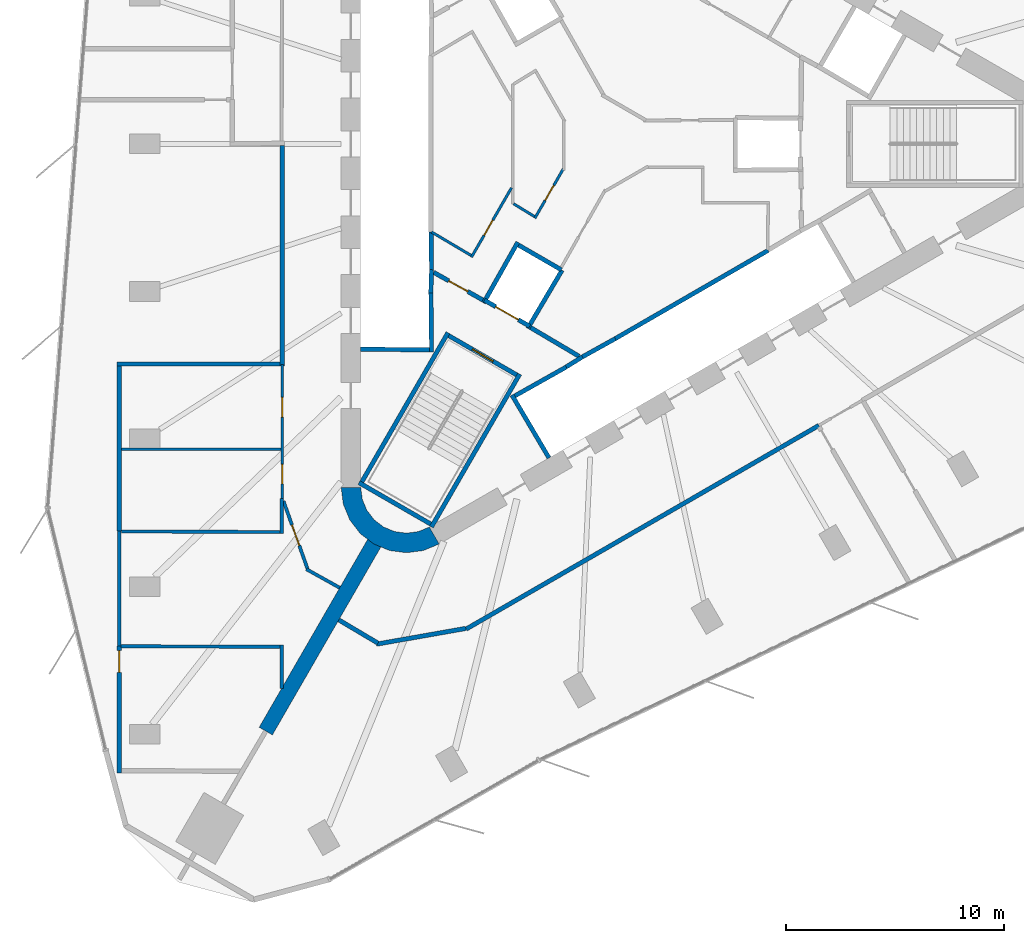
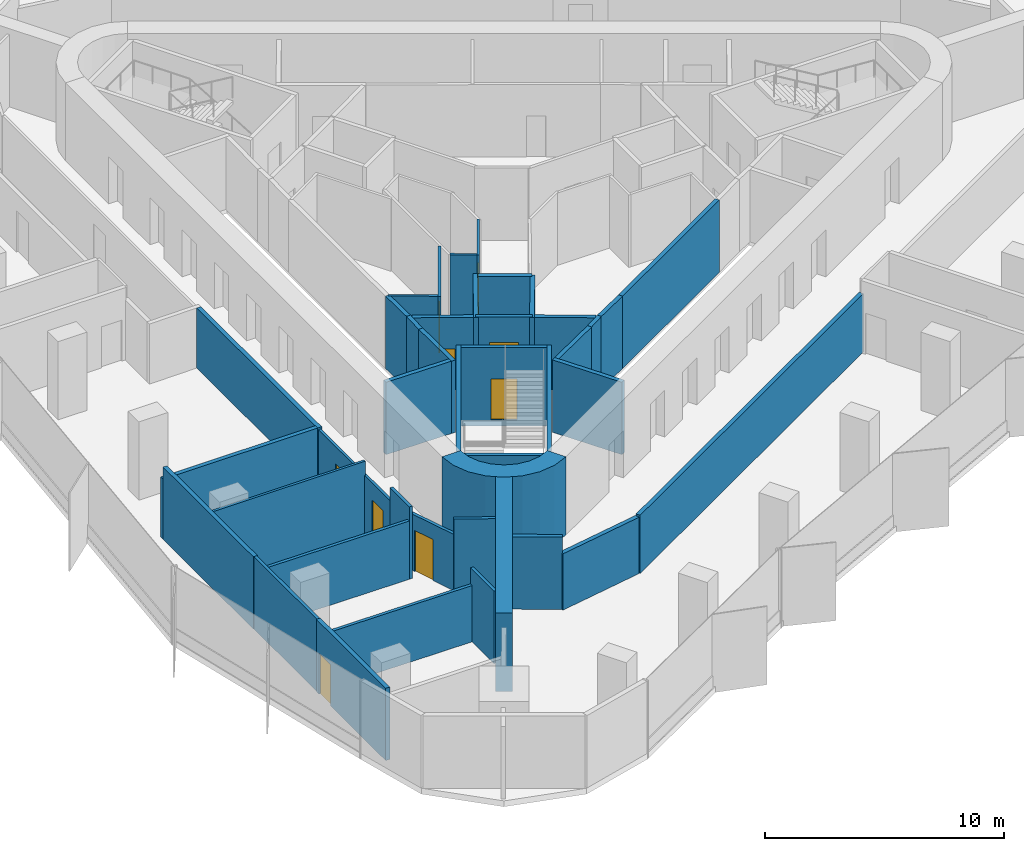
# One storey, part 8 of 13: 41 walls, 9 doors, 9 openings.
"""IFC4 building model written with IfcOpenShell, lengths in metres."""

from ifc_helpers import new_model, si_unit, direction, frame, frame_2d, origin, place, context, subcontext, project, spatial, polyline, rectangle, outline, extrude, material, layer, layer_set, type_object, element, fill, save


model = new_model("IFC4")

# Units and contexts
model_context = context("Model", 3, precision=1e-05, world=origin(), true_north=direction((0.0, 1.0)))
body_context = subcontext(model_context, "Body", "Model", "MODEL_VIEW")
ifc_project = project(units=[si_unit("LENGTHUNIT", "METRE"), si_unit("AREAUNIT", "SQUARE_METRE"), si_unit("VOLUMEUNIT", "CUBIC_METRE"), si_unit("PLANEANGLEUNIT", "RADIAN"), si_unit("MASSUNIT", "GRAM", prefix="KILO")], contexts=[model_context])

# Site, building, storey
site_placement = place(None, origin())
site = spatial("IfcSite", under=ifc_project, at=site_placement, CompositionType="ELEMENT")
building_placement = place(site_placement, origin())
building = spatial("IfcBuilding", under=site, at=building_placement, Name="Tanit Gate Tower", CompositionType="ELEMENT")
storey_placement = place(building_placement, frame((0.0, 0.0, 269.199951171875)))
storey = spatial("IfcBuildingStorey", under=building, at=storey_placement, Name="L61", CompositionType="ELEMENT", Elevation=269.199951171875)

# Walls
ifc_material_1 = material(Name="Concrete C50/60", Category="concrete")
ifc_layer_1 = layer(ifc_material_1, 0.699951171875)
ifc_layer_set_1 = layer_set([ifc_layer_1], Name="BUTTRESS FIN 700 C50/60")
wall_type_1 = type_object("IfcWallType", Name="BUTTRESS FIN 700 C50/60", PredefinedType="SHEAR", material=ifc_layer_set_1)
wall_1_placement = place(storey_placement, frame((-10.574951171875, -18.31640625, 0.0), z_axis=(0.0, 0.0, 1.0), x_axis=(-0.500007350791, -0.866021159762, 0.0)))
element("IfcWall", 1, at=wall_1_placement, inside=storey, type_object=wall_type_1, Name="BUTTRESS FIN", PredefinedType="SHEAR", context=body_context, shape_type="SweptSolid", body=[
    extrude(rectangle(XDim=9.964599609375, YDim=0.699951171875, at=frame_2d((4.982421875, 0.0))), origin(), (0.0, 0.0, 1.0), 4.0),
])
ifc_material_2 = material(Name="Concrete C50/60", Category="concrete")
ifc_layer_2 = layer(ifc_material_2, 0.89990234375)
ifc_layer_set_2 = layer_set([ifc_layer_2], Name="CORE WALL 900 C50/60")
wall_type_2 = type_object("IfcWallType", Name="CORE WALL 900 C50/60", PredefinedType="SHEAR", material=ifc_layer_set_2)
wall_2_placement = place(storey_placement, origin())
element("IfcWall", 2, at=wall_2_placement, inside=storey, type_object=wall_type_2, Name="CORE WALL CORNER", PredefinedType="SHEAR", context=body_context, shape_type="SweptSolid", body=[
    extrude(outline(polyline([(-12.10009765625, -15.76171875), (-11.997802734375, -16.5380859375), (-11.697998046875, -17.26171875), (-11.22119140625, -17.883056640625), (-10.60009765625, -18.359619140625), (-9.87646484375, -18.659423828125), (-9.10009765625, -18.76171875), (-8.323486328125, -18.659423828125), (-7.60009765625, -18.359619140625), (-8.050048828125, -17.580322265625), (-8.556396484375, -17.7900390625), (-9.10009765625, -17.86181640625), (-9.6435546875, -17.7900390625), (-10.14990234375, -17.580322265625), (-10.5849609375, -17.24658203125), (-10.918701171875, -16.811767578125), (-11.12841796875, -16.30517578125), (-11.199951171875, -15.76171875), (-12.10009765625, -15.76171875)])), origin(), (0.0, 0.0, 1.0), 4.0),
])
ifc_material_3 = material(Name="Fire-rated gypsum board partition")
ifc_layer_3 = layer(ifc_material_3, 0.199951171875)
ifc_layer_set_3 = layer_set([ifc_layer_3], Name="INT-WALL-COMPARTMENT")
wall_type_3 = type_object("IfcWallType", Name="INT-WALL-COMPARTMENT", PredefinedType="PARTITIONING", material=ifc_layer_set_3)
wall_3_placement = place(storey_placement, frame((-3.400634765625, -8.43017578125, 0.0), z_axis=(0.0, 0.0, 1.0), x_axis=(0.860615607571, -0.509255118781, 0.0)))
element("IfcWall", 3, at=wall_3_placement, inside=storey, type_object=wall_type_3, Name="Wall Compartment W063", PredefinedType="PARTITIONING", context=body_context, shape_type="SweptSolid", body=[
    extrude(rectangle(XDim=2.58056640625, YDim=0.199951171875, at=frame_2d((1.290283203125, 0.0))), origin(), (0.0, 0.0, 1.0), 3.699951171875),
])

# Wall, opening, door
wall_4_placement = place(storey_placement, frame((-7.849365234375, -5.893798828125, 0.0), z_axis=(0.0, 0.0, 1.0), x_axis=(0.871363259478, -0.490638431059, 0.0)))
wall_4 = element("IfcWall", 4, at=wall_4_placement, inside=storey, type_object=wall_type_3, Name="Wall Compartment W064", PredefinedType="PARTITIONING", context=body_context, shape_type="SweptSolid", body=[
    extrude(rectangle(XDim=2.5810546875, YDim=0.199951171875, at=frame_2d((1.29052734375, 0.0))), origin(), (0.0, 0.0, 1.0), 3.699951171875),
])
opening_1_placement = place(wall_4_placement, frame((0.79052734375, 0.0, 0.0)))
opening_1 = element("IfcOpeningElement", 5, at=opening_1_placement, cuts=wall_4, Name="Opening F10-S17-08", PredefinedType="OPENING", context=body_context, shape_type="SweptSolid", body=[
    extrude(rectangle(XDim=1.0, YDim=2.10009765625, at=frame_2d((0.5, 1.050048828125))), frame((0.0, 0.10986328125, 0.0), z_axis=(0.0, -1.0, 0.0), x_axis=(1.0, 0.0, 0.0)), (0.0, 0.0, 1.0), 0.219970703125),
])
ifc_material_4 = material(Name="Fire-rated steel door leaf", Category="steel")
door_type_1 = type_object("IfcDoorType", Name="INT-DOOR-FIRE-1000", OperationType="NOTDEFINED", PredefinedType="USERDEFINED", material=ifc_material_4)
door_1_placement = place(opening_1_placement, origin())
door_1 = element("IfcDoor", 6, at=door_1_placement, inside=storey, type_object=door_type_1, Name="Door F10-S17-08", ObjectType="FIRE DOOR", OperationType="SINGLE_SWING_LEFT", OverallHeight=2.10009765625, OverallWidth=1.0, PredefinedType="USERDEFINED", context=body_context, shape_type="SweptSolid", body=[
    extrude(rectangle(XDim=1.0, YDim=2.10009765625, at=frame_2d((0.5, 1.050048828125))), frame((0.0, 0.02490234375, 0.0), z_axis=(0.0, -1.0, 0.0), x_axis=(1.0, 0.0, 0.0)), (0.0, 0.0, 1.0), 0.050048828125),
])
fill(opening_1, door_1)

# Walls
wall_5_placement = place(storey_placement, frame((-14.800048828125, -0.070068359375, 0.0), z_axis=(0.0, 0.0, 1.0), x_axis=(0.0, -1.0, 0.0)))
element("IfcWall", 7, at=wall_5_placement, inside=storey, type_object=wall_type_3, Name="Wall Compartment W093", PredefinedType="PARTITIONING", context=body_context, shape_type="SweptSolid", body=[
    extrude(rectangle(XDim=10.1298828125, YDim=0.199951171875, at=frame_2d((5.06494140625, 0.0))), origin(), (0.0, 0.0, 1.0), 3.070068359375),
])
wall_6_placement = place(storey_placement, frame((-6.3662109375, -22.26611328125, 0.0), z_axis=(0.0, 0.0, 1.0), x_axis=(0.866027932408, 0.49999562027, 0.0)))
element("IfcWall", 8, at=wall_6_placement, inside=storey, type_object=wall_type_3, Name="Wall Compartment W109", PredefinedType="PARTITIONING", context=body_context, shape_type="SweptSolid", body=[
    extrude(rectangle(XDim=18.696533203125, YDim=0.199951171875, at=frame_2d((9.34814453125, 0.0))), origin(), (0.0, 0.0, 1.0), 2.97998046875),
])
wall_7_placement = place(storey_placement, frame((-10.479736328125, -22.956787109375, 0.0), z_axis=(0.0, 0.0, 1.0), x_axis=(0.984812459939, 0.173621481242, 0.0)))
element("IfcWall", 9, at=wall_7_placement, inside=storey, type_object=wall_type_3, Name="Wall Compartment W110", PredefinedType="PARTITIONING", context=body_context, shape_type="SweptSolid", body=[
    extrude(rectangle(XDim=4.1650390625, YDim=0.199951171875, at=frame_2d((2.08251953125, 0.0))), origin(), (0.0, 0.0, 1.0), 2.880126953125),
])
wall_8_placement = place(storey_placement, frame((-12.20703125, -21.84326171875, 0.0), z_axis=(0.0, 0.0, 1.0), x_axis=(0.859912345357, -0.510441728606, 0.0)))
element("IfcWall", 10, at=wall_8_placement, inside=storey, type_object=wall_type_3, Name="Wall Compartment W111", PredefinedType="PARTITIONING", context=body_context, shape_type="SweptSolid", body=[
    extrude(rectangle(XDim=2.093017578125, YDim=0.199951171875, at=frame_2d((1.04638671875, 0.0))), origin(), (0.0, 0.0, 1.0), 3.699951171875),
])
wall_9_placement = place(storey_placement, frame((-14.89990234375, -10.10009765625, 0.0), z_axis=(0.0, 0.0, 1.0), x_axis=(-1.0, 0.0, 0.0)))
element("IfcWall", 11, at=wall_9_placement, inside=storey, type_object=wall_type_3, Name="Wall Compartment W116", PredefinedType="PARTITIONING", context=body_context, shape_type="SweptSolid", body=[
    extrude(rectangle(XDim=7.47998046875, YDim=0.199951171875, at=frame_2d((3.739990234375, 0.0))), origin(), (0.0, 0.0, 1.0), 3.070068359375),
])

# Wall, opening, door
wall_10_placement = place(storey_placement, frame((-22.280029296875, -28.860107421875, 0.0), z_axis=(0.0, 0.0, 1.0), x_axis=(0.0, 1.0, 0.0)))
wall_10 = element("IfcWall", 12, at=wall_10_placement, inside=storey, type_object=wall_type_3, Name="Wall Compartment W120", PredefinedType="PARTITIONING", context=body_context, shape_type="SweptSolid", body=[
    extrude(rectangle(XDim=5.8173828125, YDim=0.199951171875, at=frame_2d((2.90869140625, 0.0))), origin(), (0.0, 0.0, 1.0), 3.699951171875),
])
opening_2_placement = place(wall_10_placement, frame((4.60986328125, 0.0, 0.0)))
opening_2 = element("IfcOpeningElement", 13, at=opening_2_placement, cuts=wall_10, Name="Opening F10-S17-26", PredefinedType="OPENING", context=body_context, shape_type="SweptSolid", body=[
    extrude(rectangle(XDim=1.0, YDim=2.10009765625, at=frame_2d((0.5, 1.050048828125))), frame((0.0, 0.10986328125, 0.0), z_axis=(0.0, -1.0, 0.0), x_axis=(1.0, 0.0, 0.0)), (0.0, 0.0, 1.0), 0.219970703125),
])
door_2_placement = place(opening_2_placement, origin())
door_2 = element("IfcDoor", 14, at=door_2_placement, inside=storey, type_object=door_type_1, Name="Door F10-S17-26", ObjectType="FIRE DOOR", OperationType="SINGLE_SWING_RIGHT", OverallHeight=2.10009765625, OverallWidth=1.0, PredefinedType="USERDEFINED", context=body_context, shape_type="SweptSolid", body=[
    extrude(rectangle(XDim=1.0, YDim=2.10009765625, at=frame_2d((0.5, 1.050048828125))), frame((0.0, 0.02490234375, 0.0), z_axis=(0.0, -1.0, 0.0), x_axis=(1.0, 0.0, 0.0)), (0.0, 0.0, 1.0), 0.050048828125),
])
fill(opening_2, door_2)

# Wall
wall_11_placement = place(storey_placement, frame((-22.280029296875, -17.77392578125, 0.0), z_axis=(0.0, 0.0, 1.0), x_axis=(0.0, 1.0, 0.0)))
element("IfcWall", 15, at=wall_11_placement, inside=storey, type_object=wall_type_3, Name="Wall Compartment W118", PredefinedType="PARTITIONING", context=body_context, shape_type="SweptSolid", body=[
    extrude(rectangle(XDim=7.573974609375, YDim=0.199951171875, at=frame_2d((3.787109375, 0.0))), origin(), (0.0, 0.0, 1.0), 3.699951171875),
])

# Wall, opening, door
ifc_material_5 = material(Name="Gypsum board partition")
ifc_layer_4 = layer(ifc_material_5, 0.1201171875)
ifc_layer_set_4 = layer_set([ifc_layer_4], Name="INT-WALL-PARTITION")
wall_type_4 = type_object("IfcWallType", Name="INT-WALL-PARTITION", PredefinedType="PARTITIONING", material=ifc_layer_set_4)
wall_12_placement = place(storey_placement, frame((-6.1181640625, -5.197265625, 0.0), z_axis=(0.0, 0.0, 1.0), x_axis=(0.499979045085, 0.866037501772, 0.0)))
wall_12 = element("IfcWall", 16, at=wall_12_placement, inside=storey, type_object=wall_type_4, Name="Wall Partition W075", PredefinedType="PARTITIONING", context=body_context, shape_type="SweptSolid", body=[
    extrude(rectangle(XDim=3.678955078125, YDim=0.1201171875, at=frame_2d((1.83935546875, 0.0))), origin(), (0.0, 0.0, 1.0), 3.699951171875),
])
opening_3_placement = place(wall_12_placement, frame((1.159912109375, 0.0, 0.0)))
opening_3 = element("IfcOpeningElement", 17, at=opening_3_placement, cuts=wall_12, Name="Opening R08-S17-12", PredefinedType="OPENING", context=body_context, shape_type="SweptSolid", body=[
    extrude(rectangle(XDim=0.800048828125, YDim=2.10009765625, at=frame_2d((0.39990234375, 1.050048828125))), frame((0.0, 0.070068359375, 0.0), z_axis=(0.0, -1.0, 0.0), x_axis=(1.0, 0.0, 0.0)), (0.0, 0.0, 1.0), 0.14013671875),
])
ifc_material_6 = material(Name="Timber door leaf", Category="wood")
door_type_2 = type_object("IfcDoorType", Name="INT-DOOR-RISER-800", OperationType="NOTDEFINED", PredefinedType="USERDEFINED", material=ifc_material_6)
door_3_placement = place(opening_3_placement, origin())
door_3 = element("IfcDoor", 18, at=door_3_placement, inside=storey, type_object=door_type_2, Name="Door R08-S17-12", ObjectType="FIRE DOOR", OperationType="SINGLE_SWING_RIGHT", OverallHeight=2.10009765625, OverallWidth=0.800048828125, PredefinedType="USERDEFINED", context=body_context, shape_type="SweptSolid", body=[
    extrude(rectangle(XDim=0.800048828125, YDim=2.10009765625, at=frame_2d((0.39990234375, 1.050048828125))), frame((0.0, 0.02490234375, 0.0), z_axis=(0.0, -1.0, 0.0), x_axis=(1.0, 0.0, 0.0)), (0.0, 0.0, 1.0), 0.050048828125),
])
fill(opening_3, door_3)

# Wall
wall_13_placement = place(storey_placement, frame((-7.949951171875, -4.041015625, 0.0), z_axis=(0.0, 0.0, 1.0), x_axis=(0.860112457103, -0.510104461004, 0.0)))
element("IfcWall", 19, at=wall_13_placement, inside=storey, type_object=wall_type_4, Name="Wall Partition W076", PredefinedType="PARTITIONING", context=body_context, shape_type="SweptSolid", body=[
    extrude(rectangle(XDim=2.1044921875, YDim=0.1201171875, at=frame_2d((1.05224609375, 0.0))), origin(), (0.0, 0.0, 1.0), 3.699951171875),
])

# Wall, opening, door
wall_14_placement = place(storey_placement, frame((-3.2109375, -3.41162109375, 0.0), z_axis=(0.0, 0.0, 1.0), x_axis=(0.500013727357, 0.866017478146, 0.0)))
wall_14 = element("IfcWall", 20, at=wall_14_placement, inside=storey, type_object=wall_type_4, Name="Wall Partition W082", PredefinedType="PARTITIONING", context=body_context, shape_type="SweptSolid", body=[
    extrude(rectangle(XDim=2.63623046875, YDim=0.1201171875, at=frame_2d((1.318115234375, 0.0))), origin(), (0.0, 0.0, 1.0), 3.699951171875),
])
opening_4_placement = place(wall_14_placement, frame((0.947998046875, 0.0, 0.0)))
opening_4 = element("IfcOpeningElement", 21, at=opening_4_placement, cuts=wall_14, Name="Opening R08-S17-13", PredefinedType="OPENING", context=body_context, shape_type="SweptSolid", body=[
    extrude(rectangle(XDim=0.800048828125, YDim=2.10009765625, at=frame_2d((0.39990234375, 1.050048828125))), frame((0.0, 0.070068359375, 0.0), z_axis=(0.0, -1.0, 0.0), x_axis=(1.0, 0.0, 0.0)), (0.0, 0.0, 1.0), 0.14013671875),
])
door_4_placement = place(opening_4_placement, origin())
door_4 = element("IfcDoor", 22, at=door_4_placement, inside=storey, type_object=door_type_2, Name="Door R08-S17-13", ObjectType="FIRE DOOR", OperationType="SINGLE_SWING_LEFT", OverallHeight=2.10009765625, OverallWidth=0.800048828125, PredefinedType="USERDEFINED", context=body_context, shape_type="SweptSolid", body=[
    extrude(rectangle(XDim=0.800048828125, YDim=2.10009765625, at=frame_2d((0.39990234375, 1.050048828125))), frame((0.0, 0.02490234375, 0.0), z_axis=(0.0, -1.0, 0.0), x_axis=(1.0, 0.0, 0.0)), (0.0, 0.0, 1.0), 0.050048828125),
])
fill(opening_4, door_4)

# Wall
wall_15_placement = place(storey_placement, frame((-4.188720703125, -2.74365234375, 0.0), z_axis=(0.0, 0.0, 1.0), x_axis=(0.853217230587, -0.521555708845, 0.0)))
element("IfcWall", 23, at=wall_15_placement, inside=storey, type_object=wall_type_4, Name="Wall Partition W083", PredefinedType="PARTITIONING", context=body_context, shape_type="SweptSolid", body=[
    extrude(rectangle(XDim=1.12109375, YDim=0.1201171875, at=frame_2d((0.560546875, 0.0))), origin(), (0.0, 0.0, 1.0), 3.699951171875),
])

# Wall, openings, doors
wall_16_placement = place(storey_placement, frame((-14.800048828125, -10.1298828125, 0.0), z_axis=(0.0, 0.0, 1.0), x_axis=(0.0, -1.0, 0.0)))
wall_16 = element("IfcWall", 24, at=wall_16_placement, inside=storey, type_object=wall_type_4, Name="Wall Partition W094", PredefinedType="PARTITIONING", context=body_context, shape_type="SweptSolid", body=[
    extrude(rectangle(XDim=6.138427734375, YDim=0.1201171875, at=frame_2d((3.0693359375, 0.0))), origin(), (0.0, 0.0, 1.0), 2.97998046875),
])
opening_5_placement = place(wall_16_placement, frame((1.505615234375, 0.0, 0.0)))
opening_5 = element("IfcOpeningElement", 25, at=opening_5_placement, cuts=wall_16, Name="Opening D09-S17-23", PredefinedType="OPENING", context=body_context, shape_type="SweptSolid", body=[
    extrude(rectangle(XDim=0.89990234375, YDim=2.10009765625, at=frame_2d((0.449951171875, 1.050048828125))), frame((0.0, 0.070068359375, 0.0), z_axis=(0.0, -1.0, 0.0), x_axis=(1.0, 0.0, 0.0)), (0.0, 0.0, 1.0), 0.14013671875),
])
opening_6_placement = place(wall_16_placement, frame((4.57470703125, 0.0, 0.0)))
opening_6 = element("IfcOpeningElement", 26, at=opening_6_placement, cuts=wall_16, Name="Opening D09-S17-24", PredefinedType="OPENING", context=body_context, shape_type="SweptSolid", body=[
    extrude(rectangle(XDim=0.89990234375, YDim=2.10009765625, at=frame_2d((0.449951171875, 1.050048828125))), frame((0.0, 0.070068359375, 0.0), z_axis=(0.0, -1.0, 0.0), x_axis=(1.0, 0.0, 0.0)), (0.0, 0.0, 1.0), 0.14013671875),
])
ifc_material_7 = material(Name="Timber door leaf", Category="wood")
door_type_3 = type_object("IfcDoorType", Name="INT-DOOR-SINGLE-900", OperationType="NOTDEFINED", PredefinedType="NOTDEFINED", material=ifc_material_7)
door_5_placement = place(opening_5_placement, origin())
door_5 = element("IfcDoor", 27, at=door_5_placement, inside=storey, type_object=door_type_3, Name="Door D09-S17-23", OperationType="SINGLE_SWING_LEFT", OverallHeight=2.10009765625, OverallWidth=0.89990234375, PredefinedType="NOTDEFINED", context=body_context, shape_type="SweptSolid", body=[
    extrude(rectangle(XDim=0.89990234375, YDim=2.10009765625, at=frame_2d((0.449951171875, 1.050048828125))), frame((0.0, 0.02490234375, 0.0), z_axis=(0.0, -1.0, 0.0), x_axis=(1.0, 0.0, 0.0)), (0.0, 0.0, 1.0), 0.050048828125),
])
fill(opening_5, door_5)
door_6_placement = place(opening_6_placement, origin())
door_6 = element("IfcDoor", 28, at=door_6_placement, inside=storey, type_object=door_type_3, Name="Door D09-S17-24", OperationType="SINGLE_SWING_RIGHT", OverallHeight=2.10009765625, OverallWidth=0.89990234375, PredefinedType="NOTDEFINED", context=body_context, shape_type="SweptSolid", body=[
    extrude(rectangle(XDim=0.89990234375, YDim=2.10009765625, at=frame_2d((0.449951171875, 1.050048828125))), frame((0.0, 0.02490234375, 0.0), z_axis=(0.0, -1.0, 0.0), x_axis=(1.0, 0.0, 0.0)), (0.0, 0.0, 1.0), 0.050048828125),
])
fill(opening_6, door_6)

# Walls
wall_17_placement = place(storey_placement, frame((-22.179931640625, -14.01123046875, 0.0), z_axis=(0.0, 0.0, 1.0), x_axis=(1.0, 0.0, 0.0)))
element("IfcWall", 29, at=wall_17_placement, inside=storey, type_object=wall_type_4, Name="Wall Partition W131", PredefinedType="PARTITIONING", context=body_context, shape_type="SweptSolid", body=[
    extrude(rectangle(XDim=7.349853515625, YDim=0.1201171875, at=frame_2d((3.6748046875, 0.0))), origin(), (0.0, 0.0, 1.0), 3.699951171875),
])
ifc_material_8 = material(Name="Fire-rated gypsum board partition")
ifc_layer_5 = layer(ifc_material_8, 0.14990234375)
ifc_layer_set_5 = layer_set([ifc_layer_5], Name="INT-WALL-RISER")
wall_type_5 = type_object("IfcWallType", Name="INT-WALL-RISER", PredefinedType="PLUMBINGWALL", material=ifc_layer_set_5)
wall_18_placement = place(storey_placement, frame((-13.69580078125, -19.513916015625, 0.0), z_axis=(0.0, 0.0, 1.0), x_axis=(0.873335409284, -0.487119351792, 0.0)))
element("IfcWall", 30, at=wall_18_placement, inside=storey, type_object=wall_type_5, Name="Wall Riser W096", PredefinedType="PLUMBINGWALL", context=body_context, shape_type="SweptSolid", body=[
    extrude(rectangle(XDim=1.754150390625, YDim=0.14990234375, at=frame_2d((0.876953125, 0.0))), origin(), (0.0, 0.0, 1.0), 3.699951171875),
])

# Wall, opening, door
wall_19_placement = place(storey_placement, frame((-14.74267578125, -16.393798828125, 0.0), z_axis=(0.0, 0.0, 1.0), x_axis=(0.334298080075, -0.942467396602, 0.0)))
wall_19 = element("IfcWall", 31, at=wall_19_placement, inside=storey, type_object=wall_type_5, Name="Wall Riser W097", PredefinedType="PLUMBINGWALL", context=body_context, shape_type="SweptSolid", body=[
    extrude(rectangle(XDim=3.317138671875, YDim=0.14990234375, at=frame_2d((1.65869140625, 0.0))), origin(), (0.0, 0.0, 1.0), 2.880126953125),
])
opening_7_placement = place(wall_19_placement, frame((1.158447265625, 0.0, 0.0)))
opening_7 = element("IfcOpeningElement", 32, at=opening_7_placement, cuts=wall_19, Name="Opening F10-S17-25", PredefinedType="OPENING", context=body_context, shape_type="SweptSolid", body=[
    extrude(rectangle(XDim=1.0, YDim=2.10009765625, at=frame_2d((0.5, 1.050048828125))), frame((0.0, 0.0849609375, 0.0), z_axis=(0.0, -1.0, 0.0), x_axis=(1.0, 0.0, 0.0)), (0.0, 0.0, 1.0), 0.169921875),
])
door_7_placement = place(opening_7_placement, origin())
door_7 = element("IfcDoor", 33, at=door_7_placement, inside=storey, type_object=door_type_1, Name="Door F10-S17-25", ObjectType="FIRE DOOR", OperationType="SINGLE_SWING_LEFT", OverallHeight=2.10009765625, OverallWidth=1.0, PredefinedType="USERDEFINED", context=body_context, shape_type="SweptSolid", body=[
    extrude(rectangle(XDim=1.0, YDim=2.10009765625, at=frame_2d((0.5, 1.050048828125))), frame((0.0, 0.02490234375, 0.0), z_axis=(0.0, -1.0, 0.0), x_axis=(1.0, 0.0, 0.0)), (0.0, 0.0, 1.0), 0.050048828125),
])
fill(opening_7, door_7)

# Walls
wall_20_placement = place(storey_placement, frame((-22.280029296875, -23.042724609375, 0.0), z_axis=(0.0, 0.0, 1.0), x_axis=(0.0, 1.0, 0.0)))
element("IfcWall", 34, at=wall_20_placement, inside=storey, type_object=wall_type_5, Name="Wall Riser W119", PredefinedType="PLUMBINGWALL", context=body_context, shape_type="SweptSolid", body=[
    extrude(rectangle(XDim=5.268798828125, YDim=0.14990234375, at=frame_2d((2.63427734375, 0.0))), origin(), (0.0, 0.0, 1.0), 3.699951171875),
])
wall_21_placement = place(storey_placement, frame((-14.830078125, -24.986328125, 0.0), z_axis=(0.0, 0.0, 1.0), x_axis=(0.0, 1.0, 0.0)))
element("IfcWall", 35, at=wall_21_placement, inside=storey, type_object=wall_type_5, Name="Wall Riser W134", PredefinedType="PLUMBINGWALL", context=body_context, shape_type="SweptSolid", body=[
    extrude(rectangle(XDim=1.981201171875, YDim=0.14990234375, at=frame_2d((0.99072265625, 0.0))), origin(), (0.0, 0.0, 1.0), 3.699951171875),
])
wall_22_placement = place(storey_placement, frame((-14.830078125, -17.886474609375, 0.0), z_axis=(0.0, 0.0, 1.0), x_axis=(0.0, 1.0, 0.0)))
element("IfcWall", 36, at=wall_22_placement, inside=storey, type_object=wall_type_5, Name="Wall Riser W132", PredefinedType="PLUMBINGWALL", context=body_context, shape_type="SweptSolid", body=[
    extrude(rectangle(XDim=1.6181640625, YDim=0.14990234375, at=frame_2d((0.80908203125, 0.0))), origin(), (0.0, 0.0, 1.0), 3.699951171875),
])
wall_23_placement = place(storey_placement, frame((-14.905029296875, -17.81103515625, 0.0), z_axis=(0.0, 0.0, 1.0), x_axis=(-0.999991891267, 0.004027083259, 0.0)))
element("IfcWall", 37, at=wall_23_placement, inside=storey, type_object=wall_type_5, Name="Wall Riser W133", PredefinedType="PLUMBINGWALL", context=body_context, shape_type="SweptSolid", body=[
    extrude(rectangle(XDim=7.27490234375, YDim=0.14990234375, at=frame_2d((3.637451171875, 0.0))), origin(), (0.0, 0.0, 1.0), 2.97998046875),
])
wall_24_placement = place(storey_placement, frame((-22.205078125, -23.050537109375, 0.0), z_axis=(0.0, 0.0, 1.0), x_axis=(0.999991947035, -0.004013211386, 0.0)))
element("IfcWall", 38, at=wall_24_placement, inside=storey, type_object=wall_type_5, Name="Wall Riser W135", PredefinedType="PLUMBINGWALL", context=body_context, shape_type="SweptSolid", body=[
    extrude(rectangle(XDim=7.300048828125, YDim=0.14990234375, at=frame_2d((3.64990234375, 0.0))), origin(), (0.0, 0.0, 1.0), 2.880126953125),
])
ifc_material_9 = material(Name="Gypsum shaft wall system")
ifc_layer_6 = layer(ifc_material_9, 0.199951171875)
ifc_layer_set_6 = layer_set([ifc_layer_6], Name="INT-WALL-SHAFT")
wall_type_6 = type_object("IfcWallType", Name="INT-WALL-SHAFT", PredefinedType="PLUMBINGWALL", material=ifc_layer_set_6)
wall_25_placement = place(storey_placement, frame((-7.949951171875, -5.7724609375, 0.0), z_axis=(0.0, 0.0, 1.0), x_axis=(-0.030803413295, -0.999525462272, 0.0)))
element("IfcWall", 39, at=wall_25_placement, inside=storey, type_object=wall_type_6, Name="Wall Shaft W008", PredefinedType="PLUMBINGWALL", context=body_context, shape_type="SweptSolid", body=[
    extrude(rectangle(XDim=1.077880859375, YDim=0.199951171875, at=frame_2d((0.5390625, 0.0))), origin(), (0.0, 0.0, 1.0), 3.699951171875),
])
wall_26_placement = place(storey_placement, frame((-7.971435546875, -4.050048828125, 0.0), z_axis=(0.0, 0.0, 1.0), x_axis=(0.012042535896, -0.999927486035, 0.0)))
element("IfcWall", 40, at=wall_26_placement, inside=storey, type_object=wall_type_6, Name="Wall Shaft W009", PredefinedType="PLUMBINGWALL", context=body_context, shape_type="SweptSolid", body=[
    extrude(rectangle(XDim=1.844970703125, YDim=0.199951171875, at=frame_2d((0.92236328125, 0.0))), origin(), (0.0, 0.0, 1.0), 3.699951171875),
])
wall_27_placement = place(storey_placement, frame((-7.97900390625, -6.85009765625, 0.0), z_axis=(0.0, 0.0, 1.0), x_axis=(0.011121475088, -0.999938154483, 0.0)))
element("IfcWall", 41, at=wall_27_placement, inside=storey, type_object=wall_type_6, Name="Wall Shaft W010", PredefinedType="PLUMBINGWALL", context=body_context, shape_type="SweptSolid", body=[
    extrude(rectangle(XDim=2.7001953125, YDim=0.199951171875, at=frame_2d((1.35009765625, 0.0))), origin(), (0.0, 0.0, 1.0), 3.699951171875),
])
wall_28_placement = place(storey_placement, frame((-8.050048828125, -9.448974609375, 0.0), z_axis=(0.0, 0.0, 1.0), x_axis=(-0.999957467379, 0.009222983926, 0.0)))
element("IfcWall", 42, at=wall_28_placement, inside=storey, type_object=wall_type_6, Name="Wall Shaft W011", PredefinedType="PLUMBINGWALL", context=body_context, shape_type="SweptSolid", body=[
    extrude(rectangle(XDim=3.150146484375, YDim=0.199951171875, at=frame_2d((1.5751953125, 0.0))), origin(), (0.0, 0.0, 1.0), 3.699951171875),
])
wall_29_placement = place(storey_placement, frame((0.482666015625, -8.935791015625, 0.0), z_axis=(0.0, 0.0, 1.0), x_axis=(0.866030989016, 0.499990325971, 0.0)))
element("IfcWall", 43, at=wall_29_placement, inside=storey, type_object=wall_type_6, Name="Wall Shaft W023", PredefinedType="PLUMBINGWALL", context=body_context, shape_type="SweptSolid", body=[
    extrude(rectangle(XDim=8.099853515625, YDim=0.199951171875, at=frame_2d((4.0498046875, 0.0))), origin(), (0.0, 0.0, 1.0), 3.699951171875),
])
wall_30_placement = place(storey_placement, frame((-2.557861328125, -14.409423828125, 0.0), z_axis=(0.0, 0.0, 1.0), x_axis=(-0.507997497166, 0.861358544901, 0.0)))
element("IfcWall", 44, at=wall_30_placement, inside=storey, type_object=wall_type_6, Name="Wall Shaft W019", PredefinedType="PLUMBINGWALL", context=body_context, shape_type="SweptSolid", body=[
    extrude(rectangle(XDim=3.350341796875, YDim=0.199951171875, at=frame_2d((1.67529296875, 0.0))), origin(), (0.0, 0.0, 1.0), 3.699951171875),
])
wall_31_placement = place(storey_placement, frame((-1.7685546875, -10.23681640625, 0.0), z_axis=(0.0, 0.0, 1.0), x_axis=(-0.871534483978, -0.490334215854, 0.0)))
element("IfcWall", 45, at=wall_31_placement, inside=storey, type_object=wall_type_6, Name="Wall Shaft W020", PredefinedType="PLUMBINGWALL", context=body_context, shape_type="SweptSolid", body=[
    extrude(rectangle(XDim=2.7001953125, YDim=0.199951171875, at=frame_2d((1.35009765625, 0.0))), origin(), (0.0, 0.0, 1.0), 3.699951171875),
])
wall_32_placement = place(storey_placement, frame((-1.02392578125, -9.77099609375, 0.0), z_axis=(0.0, 0.0, 1.0), x_axis=(-0.850348075135, -0.526220629693, 0.0)))
element("IfcWall", 46, at=wall_32_placement, inside=storey, type_object=wall_type_6, Name="Wall Shaft W021", PredefinedType="PLUMBINGWALL", context=body_context, shape_type="SweptSolid", body=[
    extrude(rectangle(XDim=0.878173828125, YDim=0.199951171875, at=frame_2d((0.43896484375, 0.0))), origin(), (0.0, 0.0, 1.0), 3.699951171875),
])
wall_33_placement = place(storey_placement, frame((-1.130126953125, -9.831298828125, 0.0), z_axis=(0.0, 0.0, 1.0), x_axis=(0.874269620932, 0.485440655401, 0.0)))
element("IfcWall", 47, at=wall_33_placement, inside=storey, type_object=wall_type_6, Name="Wall Shaft W022", PredefinedType="PLUMBINGWALL", context=body_context, shape_type="SweptSolid", body=[
    extrude(rectangle(XDim=1.8447265625, YDim=0.199951171875, at=frame_2d((0.92236328125, 0.0))), origin(), (0.0, 0.0, 1.0), 3.699951171875),
])

# Wall, opening, door
wall_34_placement = place(storey_placement, frame((-3.44580078125, -8.3681640625, 0.0), z_axis=(0.0, 0.0, 1.0), x_axis=(-0.866024647952, 0.500001309137, 0.0)))
wall_34 = element("IfcWall", 48, at=wall_34_placement, inside=storey, type_object=wall_type_6, Name="Wall Shaft W045", PredefinedType="PLUMBINGWALL", context=body_context, shape_type="SweptSolid", body=[
    extrude(rectangle(XDim=2.39990234375, YDim=0.199951171875, at=frame_2d((1.199951171875, 0.0))), origin(), (0.0, 0.0, 1.0), 3.699951171875),
])
opening_8_placement = place(wall_34_placement, frame((0.60009765625, 0.0, 0.0)))
opening_8 = element("IfcOpeningElement", 49, at=opening_8_placement, cuts=wall_34, Name="Opening LDFL3-L61", PredefinedType="OPENING", context=body_context, shape_type="SweptSolid", body=[
    extrude(rectangle(XDim=1.199951171875, YDim=2.39990234375, at=frame_2d((0.60009765625, 1.199951171875))), frame((0.0, 0.10986328125, 0.0), z_axis=(0.0, -1.0, 0.0), x_axis=(1.0, 0.0, 0.0)), (0.0, 0.0, 1.0), 0.219970703125),
])
ifc_material_10 = material(Name="Stainless steel sliding door leaf", Category="steel")
door_type_4 = type_object("IfcDoorType", Name="INT-DOOR-LANDING-1200", OperationType="NOTDEFINED", PredefinedType="USERDEFINED", material=ifc_material_10)
door_8_placement = place(opening_8_placement, origin())
door_8 = element("IfcDoor", 50, at=door_8_placement, inside=storey, type_object=door_type_4, Name="Door LDFL3-L61", ObjectType="LANDING DOOR", OperationType="SLIDING_TO_LEFT", OverallHeight=2.39990234375, OverallWidth=1.199951171875, PredefinedType="USERDEFINED", context=body_context, shape_type="SweptSolid", body=[
    extrude(rectangle(XDim=1.199951171875, YDim=2.39990234375, at=frame_2d((0.60009765625, 1.199951171875))), frame((0.0, 0.02490234375, 0.0), z_axis=(0.0, -1.0, 0.0), x_axis=(1.0, 0.0, 0.0)), (0.0, 0.0, 1.0), 0.050048828125),
])
fill(opening_8, door_8)

# Walls
wall_35_placement = place(storey_placement, frame((-1.960693359375, -5.796142578125, 0.0), z_axis=(0.0, 0.0, 1.0), x_axis=(-0.508647062354, -0.860975125052, 0.0)))
element("IfcWall", 51, at=wall_35_placement, inside=storey, type_object=wall_type_6, Name="Wall Shaft W046", PredefinedType="PLUMBINGWALL", context=body_context, shape_type="SweptSolid", body=[
    extrude(rectangle(XDim=3.10009765625, YDim=0.199951171875, at=frame_2d((1.550048828125, 0.0))), origin(), (0.0, 0.0, 1.0), 3.699951171875),
])
wall_36_placement = place(storey_placement, frame((-3.989990234375, -4.509033203125, 0.0), z_axis=(0.0, 0.0, 1.0), x_axis=(-0.491358283181, -0.870957540612, 0.0)))
element("IfcWall", 52, at=wall_36_placement, inside=storey, type_object=wall_type_6, Name="Wall Shaft W047", PredefinedType="PLUMBINGWALL", context=body_context, shape_type="SweptSolid", body=[
    extrude(rectangle(XDim=3.200439453125, YDim=0.199951171875, at=frame_2d((1.60009765625, 0.0))), origin(), (0.0, 0.0, 1.0), 3.699951171875),
])
wall_37_placement = place(storey_placement, frame((-3.95263671875, -4.646240234375, 0.0), z_axis=(0.0, 0.0, 1.0), x_axis=(0.866065302921, -0.4999308863, 0.0)))
element("IfcWall", 53, at=wall_37_placement, inside=storey, type_object=wall_type_6, Name="Wall Shaft W048", PredefinedType="PLUMBINGWALL", context=body_context, shape_type="SweptSolid", body=[
    extrude(rectangle(XDim=2.264404296875, YDim=0.199951171875, at=frame_2d((1.13232421875, 0.0))), origin(), (0.0, 0.0, 1.0), 3.699951171875),
])
ifc_material_11 = material(Name="Concrete C40/50", Category="concrete")
ifc_layer_7 = layer(ifc_material_11, 0.199951171875)
ifc_layer_set_7 = layer_set([ifc_layer_7], Name="INT-WALL-STAIR")
wall_type_7 = type_object("IfcWallType", Name="INT-WALL-STAIR", PredefinedType="SHEAR", material=ifc_layer_set_7)
wall_38_placement = place(storey_placement, frame((-3.904541015625, -10.56298828125, -0.300048828125), z_axis=(0.0, 0.0, 1.0), x_axis=(-0.500012932018, -0.866017937352, 0.0)))
element("IfcWall", 54, at=wall_38_placement, inside=storey, type_object=wall_type_7, Name="Wall Stair W041", PredefinedType="SHEAR", context=body_context, shape_type="SweptSolid", body=[
    extrude(rectangle(XDim=8.099853515625, YDim=0.199951171875, at=frame_2d((4.0498046875, 0.0))), origin(), (0.0, 0.0, 1.0), 4.0),
])
wall_39_placement = place(storey_placement, frame((-11.281982421875, -15.541015625, -0.300048828125), z_axis=(0.0, 0.0, 1.0), x_axis=(0.866000483506, -0.500043160704, 0.0)))
element("IfcWall", 55, at=wall_39_placement, inside=storey, type_object=wall_type_7, Name="Wall Stair W042", PredefinedType="SHEAR", context=body_context, shape_type="SweptSolid", body=[
    extrude(rectangle(XDim=3.800048828125, YDim=0.199951171875, at=frame_2d((1.89990234375, 0.0))), origin(), (0.0, 0.0, 1.0), 4.0),
])
wall_40_placement = place(storey_placement, frame((-7.195556640625, -8.662841796875, -0.300048828125), z_axis=(0.0, 0.0, 1.0), x_axis=(-0.499997992926, -0.866026562566, 0.0)))
element("IfcWall", 56, at=wall_40_placement, inside=storey, type_object=wall_type_7, Name="Wall Stair W043", PredefinedType="SHEAR", context=body_context, shape_type="SweptSolid", body=[
    extrude(rectangle(XDim=7.89990234375, YDim=0.199951171875, at=frame_2d((3.949951171875, 0.0))), origin(), (0.0, 0.0, 1.0), 4.0),
])

# Wall, opening, door
wall_41_placement = place(storey_placement, frame((-4.041259765625, -10.599365234375, -0.300048828125), z_axis=(0.0, 0.0, 1.0), x_axis=(-0.866047807691, 0.499961193289, 0.0)))
wall_41 = element("IfcWall", 57, at=wall_41_placement, inside=storey, type_object=wall_type_7, Name="Wall Stair W044", PredefinedType="SHEAR", context=body_context, shape_type="SweptSolid", body=[
    extrude(rectangle(XDim=3.599853515625, YDim=0.199951171875, at=frame_2d((1.7998046875, 0.0))), origin(), (0.0, 0.0, 1.0), 4.0),
])
opening_9_placement = place(wall_41_placement, frame((1.25, 0.0, 0.300048828125)))
opening_9 = element("IfcOpeningElement", 58, at=opening_9_placement, cuts=wall_41, Name="Opening S11-S17-07", PredefinedType="OPENING", context=body_context, shape_type="SweptSolid", body=[
    extrude(rectangle(XDim=1.10009765625, YDim=2.10009765625, at=frame_2d((0.550048828125, 1.050048828125))), frame((0.0, 0.10986328125, 0.0), z_axis=(0.0, -1.0, 0.0), x_axis=(1.0, 0.0, 0.0)), (0.0, 0.0, 1.0), 0.219970703125),
])
ifc_material_12 = material(Name="Timber door leaf", Category="wood")
door_type_5 = type_object("IfcDoorType", Name="INT-DOOR-STAIR-1100", OperationType="NOTDEFINED", PredefinedType="USERDEFINED", material=ifc_material_12)
door_9_placement = place(opening_9_placement, origin())
door_9 = element("IfcDoor", 59, at=door_9_placement, inside=storey, type_object=door_type_5, Name="Door S11-S17-07", ObjectType="FIRE DOOR", OperationType="SINGLE_SWING_LEFT", OverallHeight=2.10009765625, OverallWidth=1.10009765625, PredefinedType="USERDEFINED", context=body_context, shape_type="SweptSolid", body=[
    extrude(rectangle(XDim=1.10009765625, YDim=2.10009765625, at=frame_2d((0.550048828125, 1.050048828125))), frame((0.0, 0.02490234375, 0.0), z_axis=(0.0, -1.0, 0.0), x_axis=(1.0, 0.0, 0.0)), (0.0, 0.0, 1.0), 0.050048828125),
])
fill(opening_9, door_9)

save(model, "model.ifc")
